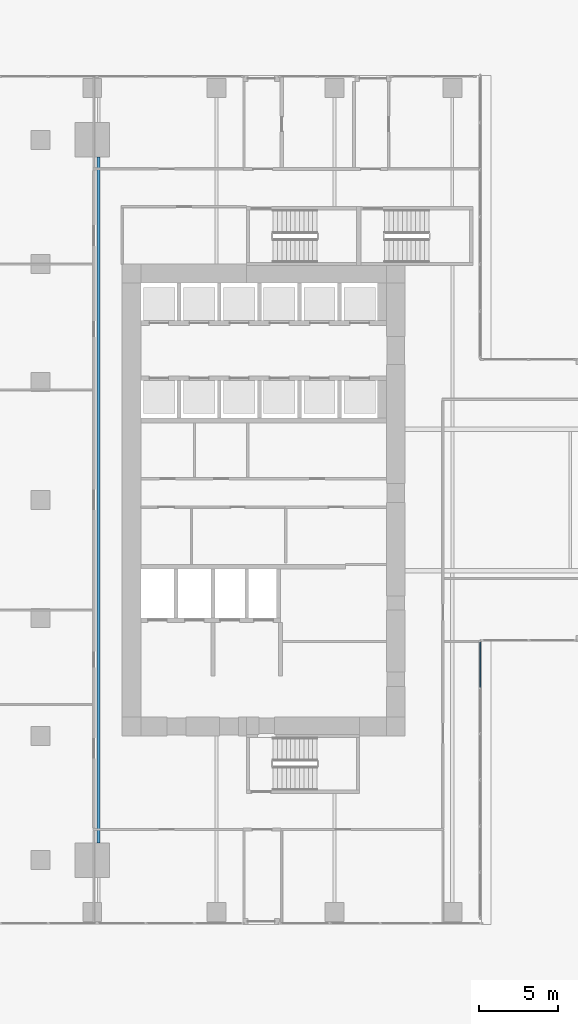
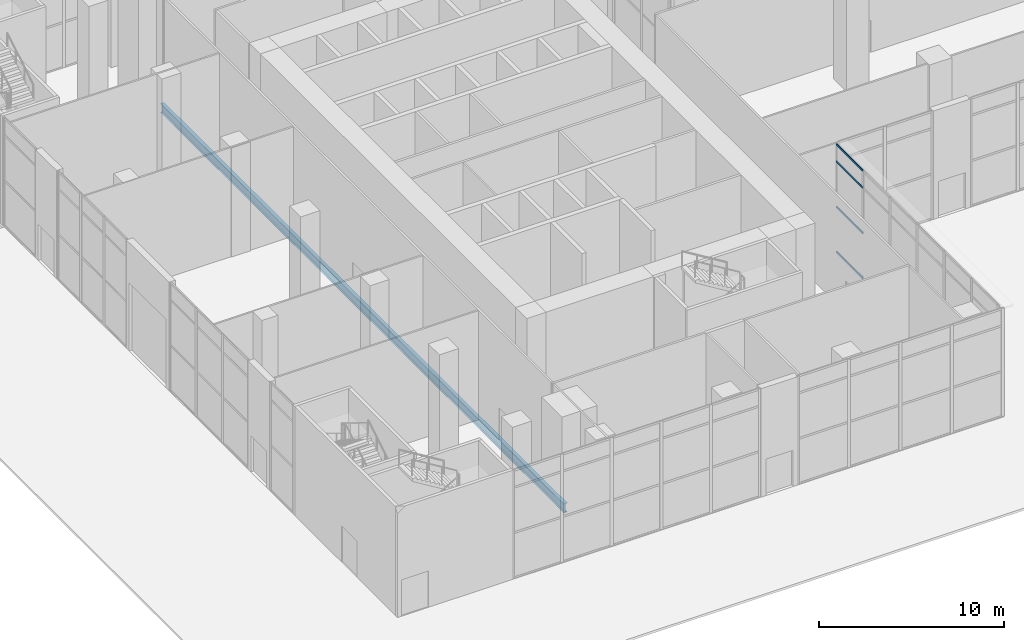
# One storey, part 10 of 52: 4 members, 1 beam, 1 element without a shape of its own.
"""IFC4 building model written with IfcOpenShell, lengths in metres."""

import ifcopenshell
import ifcopenshell.guid

model = None  # the IFC model being written
_history = None  # IfcOwnerHistory: only IFC2X3 demands one
_inside = {}  # id of a spatial element -> (the spatial element, [elements in it])
_under = {}  # id of a project, library or spatial element -> (it, [spatial elements below it])
_declared = {}  # id of a project -> (the project, [libraries it declares])
_typed = {}  # id of a type object -> (the type object, [elements of that type])
_made_of = {}  # id of a material, layer set ... -> (it, [elements and type objects made of it])


def new_model(schema):
    """Start an empty IFC model of exactly this schema.

    Asked for "IFC4X3", IfcOpenShell would pick the latest addendum, in which some entities
    have other attributes; the version numbers below select the first issue.
    IFC2X3 requires an IfcOwnerHistory on every rooted entity: one is made here for all.
    """
    global model, _history
    if schema == "IFC4X3":
        model = ifcopenshell.file(schema_version=(4, 3, 0, 0))
    else:
        model = ifcopenshell.file(schema=schema)
    _inside.clear()
    _under.clear()
    _declared.clear()
    _typed.clear()
    _made_of.clear()
    _history = None
    if model.schema == "IFC2X3":
        org = make("IfcOrganization", Name="unknown")
        user = make(
            "IfcPersonAndOrganization",
            ThePerson=make("IfcPerson", FamilyName="unknown"),
            TheOrganization=org,
        )
        app = make(
            "IfcApplication",
            ApplicationDeveloper=org,
            Version="unknown",
            ApplicationFullName="unknown",
            ApplicationIdentifier="unknown",
        )
        _history = make(
            "IfcOwnerHistory",
            OwningUser=user,
            OwningApplication=app,
            ChangeAction="ADDED",
            CreationDate=0,
        )
    return model


def make(cls, **values):
    """One entity of the class cls with the attributes given. An attribute that is None is left unset."""
    return model.create_entity(
        cls, **{name: value for name, value in values.items() if value is not None}
    )


def rooted(cls, **values):
    """An entity with a GlobalId (a new one), such as an element, a storey or a relation."""
    return make(cls, GlobalId=ifcopenshell.guid.new(), OwnerHistory=_history, **values)


def si_unit(unit_type, name, prefix=None):
    """IfcSIUnit, for example si_unit("LENGTHUNIT", "METRE", prefix="MILLI")."""
    return make("IfcSIUnit", UnitType=unit_type, Prefix=prefix, Name=name)


def assignment(units):
    """IfcUnitAssignment: the units of a project."""
    return None if units is None else make("IfcUnitAssignment", Units=units)


def point(xyz):
    """IfcCartesianPoint."""
    return None if xyz is None else make("IfcCartesianPoint", Coordinates=xyz)


def direction(xyz):
    """IfcDirection."""
    return None if xyz is None else make("IfcDirection", DirectionRatios=xyz)


def frame(location, z_axis=None, x_axis=None):
    """IfcAxis2Placement3D, a coordinate frame: its origin and axes. An axis left out is left unset."""
    return make(
        "IfcAxis2Placement3D",
        Location=point(location),
        Axis=direction(z_axis),
        RefDirection=direction(x_axis),
    )


def frame_2d(location, x_axis=None):
    """IfcAxis2Placement2D, a coordinate frame in the plane: its origin and x axis."""
    return make(
        "IfcAxis2Placement2D", Location=point(location), RefDirection=direction(x_axis)
    )


def origin():
    """The frame at (0, 0, 0) with its axes left unset."""
    return frame((0.0, 0.0, 0.0))


def origin_2d():
    """The frame at (0, 0) in the plane with its x axis left unset."""
    return frame_2d((0.0, 0.0))


def place(relative_to, where):
    """IfcLocalPlacement: puts the frame where relative to a parent placement (None: the world)."""
    return make(
        "IfcLocalPlacement", PlacementRelTo=relative_to, RelativePlacement=where
    )


def context(
    kind, dimensions, precision=None, world=None, true_north=None, identifier=None
):
    """IfcGeometricRepresentationContext, for example the 3D "Model" context."""
    return make(
        "IfcGeometricRepresentationContext",
        ContextIdentifier=identifier,
        ContextType=kind,
        CoordinateSpaceDimension=dimensions,
        Precision=precision,
        WorldCoordinateSystem=world,
        TrueNorth=true_north,
    )


def subcontext(parent, identifier, kind, view, scale=None):
    """IfcGeometricRepresentationSubContext, for example "Body" below "Model"."""
    return make(
        "IfcGeometricRepresentationSubContext",
        ContextIdentifier=identifier,
        ContextType=kind,
        ParentContext=parent,
        TargetScale=scale,
        TargetView=view,
    )


def project(units=None, contexts=None):
    """IfcProject with its units and contexts."""
    return rooted(
        "IfcProject",
        Name="project",
        RepresentationContexts=contexts,
        UnitsInContext=assignment(units),
    )


def spatial(cls, under=None, at=None, **own):
    """A site, building, storey or space (cls), placed at a placement, below another one or the project."""
    s = rooted(cls, ObjectPlacement=at, **own)
    if under is not None:
        _under.setdefault(under.id(), (under, []))[1].append(s)
    return s


def profile(cls, at=None, kind="AREA", **sizes):
    """A parametric profile (cls). Its sizes go by their IFC names, for example OverallWidth=200.0."""
    return make(cls, ProfileType=kind, Position=at, **sizes)


def hollow_rectangle(**sizes):
    """IfcRectangleHollowProfileDef."""
    return profile("IfcRectangleHollowProfileDef", **sizes)


def i_section(**sizes):
    """IfcIShapeProfileDef."""
    return profile("IfcIShapeProfileDef", **sizes)


def extrude(swept, where, along, depth):
    """IfcExtrudedAreaSolid: the profile swept, set in the frame where, extruded along a direction by depth."""
    return make(
        "IfcExtrudedAreaSolid",
        SweptArea=swept,
        Position=where,
        ExtrudedDirection=direction(along),
        Depth=depth,
    )


def shape(context_of_items, identifier, shape_type, items):
    """IfcShapeRepresentation: the items that make up one representation, for example the "Body"."""
    return make(
        "IfcShapeRepresentation",
        ContextOfItems=context_of_items,
        RepresentationIdentifier=identifier,
        RepresentationType=shape_type,
        Items=items,
    )


def source(mapping_origin, context_of_items, identifier, shape_type, items):
    """IfcRepresentationMap: a shape defined once, which mapped items show again and again."""
    return make(
        "IfcRepresentationMap",
        MappingOrigin=mapping_origin,
        MappedRepresentation=shape(context_of_items, identifier, shape_type, items),
    )


def transform(
    local_origin,
    x_axis=None,
    y_axis=None,
    z_axis=None,
    scale=None,
    scale2=None,
    scale3=None,
    uniform=True,
):
    """IfcCartesianTransformationOperator3D, or its non-uniform kind. x_axis, y_axis, z_axis: its Axis1, 2, 3."""
    if uniform:
        return make(
            "IfcCartesianTransformationOperator3D",
            Axis1=direction(x_axis),
            Axis2=direction(y_axis),
            LocalOrigin=point(local_origin),
            Scale=scale,
            Axis3=direction(z_axis),
        )
    return make(
        "IfcCartesianTransformationOperator3DnonUniform",
        Axis1=direction(x_axis),
        Axis2=direction(y_axis),
        LocalOrigin=point(local_origin),
        Scale=scale,
        Axis3=direction(z_axis),
        Scale2=scale2,
        Scale3=scale3,
    )


def mapped(mapping_source, mapping_target):
    """IfcMappedItem: shows the shape of a source again, moved by a transform."""
    return make(
        "IfcMappedItem", MappingSource=mapping_source, MappingTarget=mapping_target
    )


def material(Name=None, Category=None):
    """IfcMaterial."""
    return make("IfcMaterial", Name=Name, Category=Category)


def material_profile(
    of_material, cross_section, Name=None, Category=None, Priority=None
):
    """IfcMaterialProfile: a cross section and its material."""
    return make(
        "IfcMaterialProfile",
        Name=Name,
        Material=of_material,
        Profile=cross_section,
        Priority=Priority,
        Category=Category,
    )


def profile_set(profiles, Name=None, composite=None):
    """IfcMaterialProfileSet."""
    return make(
        "IfcMaterialProfileSet",
        Name=Name,
        MaterialProfiles=profiles,
        CompositeProfile=composite,
    )


def made_of(thing, what):
    """Note that an element or type object is made of a material, layer set ...; save() writes the relation."""
    if what is not None:
        _made_of.setdefault(what.id(), (what, []))[1].append(thing)
    return thing


def type_object(cls, material=None, **own):
    """A type object (cls), such as IfcWallType, which elements share."""
    return made_of(rooted(cls, **own), material)


def element(
    cls,
    number,
    at=None,
    inside=None,
    cuts=None,
    type_object=None,
    material=None,
    context=None,
    identifier="Body",
    shape_type=None,
    held_by="IfcProductDefinitionShape",
    body=None,
    shapes=None,
    **own,
):
    """One element of the class cls, such as IfcWall. Its Tag is "e" and its number.

    at: its placement. inside: the storey or other place that contains it. cuts: it is an
    opening in that element (IfcRelVoidsElement). A single representation is given by context,
    identifier, shape_type and body (its items); several are given by shapes. held_by: the class
    of the entity that holds the representations. save() writes the other relations.
    """
    e = rooted(cls, Tag="e%d" % number, ObjectPlacement=at, **own)
    if body is not None:
        shapes = [shape(context, identifier, shape_type, body)]
    if shapes is not None:
        e.Representation = make(held_by, Representations=shapes)
    if inside is not None:
        _inside.setdefault(inside.id(), (inside, []))[1].append(e)
    if cuts is not None:
        rooted(
            "IfcRelVoidsElement", RelatingBuildingElement=cuts, RelatedOpeningElement=e
        )
    if type_object is not None:
        _typed.setdefault(type_object.id(), (type_object, []))[1].append(e)
    return made_of(e, material)


def aggregate(whole, parts):
    """IfcRelAggregates: a whole, such as a stair, and the parts it consists of."""
    return rooted("IfcRelAggregates", RelatingObject=whole, RelatedObjects=parts)


def save(model, path):
    """Write the relations noted so far, then the file.

    IfcRelAggregates (storeys below a building ...), IfcRelContainedInSpatialStructure (elements
    in a storey), IfcRelDefinesByType, IfcRelAssociatesMaterial and IfcRelDeclares: one each for
    every whole, place, type object, material and project.
    """
    for whole, parts in _under.values():
        aggregate(whole, parts)
    for where, things in _inside.values():
        rooted(
            "IfcRelContainedInSpatialStructure",
            RelatedElements=things,
            RelatingStructure=where,
        )
    for kind, things in _typed.values():
        rooted("IfcRelDefinesByType", RelatedObjects=things, RelatingType=kind)
    for what, things in _made_of.values():
        rooted("IfcRelAssociatesMaterial", RelatedObjects=things, RelatingMaterial=what)
    for by, libraries in _declared.values():
        rooted("IfcRelDeclares", RelatingContext=by, RelatedDefinitions=libraries)
    model.write(path)


model = new_model("IFC4")

# Units and contexts
model_context = context("Model", 3, precision=1e-05, world=origin(), true_north=direction((0.0, 1.0)))
body_context = subcontext(model_context, "Body", "Model", "MODEL_VIEW")
ifc_project = project(units=[si_unit("LENGTHUNIT", "METRE"), si_unit("AREAUNIT", "SQUARE_METRE"), si_unit("VOLUMEUNIT", "CUBIC_METRE"), si_unit("PLANEANGLEUNIT", "RADIAN"), si_unit("MASSUNIT", "GRAM", prefix="KILO")], contexts=[model_context])

# Site, building, storey
site_placement = place(None, origin())
site = spatial("IfcSite", under=ifc_project, at=site_placement, CompositionType="ELEMENT")
building_placement = place(site_placement, origin())
building = spatial("IfcBuilding", under=site, at=building_placement, Name="Khomas Fold Tower", CompositionType="ELEMENT")
storey_placement = place(building_placement, origin())
storey = spatial("IfcBuildingStorey", under=building, at=storey_placement, Name="L00", CompositionType="ELEMENT", Elevation=0.0)

# Beam
ifc_material_1 = material(Name="Steel S355", Category="steel")
ifc_material_profile_1 = material_profile(ifc_material_1, i_section(OverallWidth=0.219970703125, OverallDepth=0.60009765625, WebThickness=0.011962890625, FlangeThickness=0.01904296875, at=origin_2d()), Name="IPE 600")
ifc_profile_set_1 = profile_set([ifc_material_profile_1], Name="Steel S355")
beam_type = type_object("IfcBeamType", Name="IPE 600 beam JB7", PredefinedType="BEAM", material=ifc_profile_set_1)
shared_shape_1 = source(origin(), body_context, "Body", "SweptSolid", [
    extrude(i_section(OverallWidth=0.219970703125, OverallDepth=0.60009765625, WebThickness=0.011962890625, FlangeThickness=0.01904296875, at=origin_2d()), origin(), (0.0, 0.0, 1.0), 43.60009765625),
])
beam_placement = place(storey_placement, frame((4.5, 5.199951171875, -0.64990234375), z_axis=(0.0, 1.0, 0.0), x_axis=(-1.0, 0.0, 0.0)))
element("IfcBeam", 1, at=beam_placement, inside=storey, type_object=beam_type, Name="JB7", PredefinedType="BEAM", context=body_context, shape_type="MappedRepresentation", body=[
    mapped(shared_shape_1, transform((0.0, 0.0, 0.0))),
])

# Curtain wall, members
ifc_material_2 = material(Name="Aluminium framed double glazing", Category="aluminium")
curtain_wall_type = type_object("IfcCurtainWallType", Name="Shopfront glazing PD-CW", PredefinedType="NOTDEFINED", material=ifc_material_2)
curtain_wall_placement = place(storey_placement, origin())
curtain_wall = element("IfcCurtainWall", 2, at=curtain_wall_placement, inside=storey, type_object=curtain_wall_type, Name="Podium shopfront run", PredefinedType="NOTDEFINED")
ifc_material_3 = material(Name="Aluminium", Category="aluminium")
ifc_material_profile_2 = material_profile(ifc_material_3, hollow_rectangle(XDim=0.06005859375, YDim=0.1201171875, WallThickness=0.00390625, at=origin_2d()), Name="Shopfront glazing transom PD-CW-T")
ifc_profile_set_2 = profile_set([ifc_material_profile_2], Name="Aluminium")
member_type = type_object("IfcMemberType", Name="Shopfront glazing transom PD-CW-T", PredefinedType="USERDEFINED", material=ifc_profile_set_2)
shared_shape_2 = source(origin(), body_context, "Body", "SweptSolid", [
    extrude(hollow_rectangle(XDim=0.06005859375, YDim=0.1201171875, WallThickness=0.00390625, at=origin_2d()), origin(), (0.0, 0.0, 1.0), 2.84326171875),
])
member_1_placement = place(storey_placement, frame((28.77001953125, 15.0966796875, 0.030029296875), z_axis=(0.0, 1.0, 0.0), x_axis=(-1.0, 0.0, 0.0)))
member_1 = element("IfcMember", 3, at=member_1_placement, type_object=member_type, Name="PD-CW transom 6.1", ObjectType="TRANSOM", PredefinedType="USERDEFINED", context=body_context, shape_type="MappedRepresentation", body=[
    mapped(shared_shape_2, transform((0.0, 0.0, 0.0))),
])
member_2_placement = place(storey_placement, frame((28.77001953125, 15.0966796875, 3.0), z_axis=(0.0, 1.0, 0.0), x_axis=(-1.0, 0.0, 0.0)))
member_2 = element("IfcMember", 4, at=member_2_placement, type_object=member_type, Name="PD-CW transom 6.2", ObjectType="TRANSOM", PredefinedType="USERDEFINED", context=body_context, shape_type="MappedRepresentation", body=[
    mapped(shared_shape_2, transform((0.0, 0.0, 0.0))),
])
member_3_placement = place(storey_placement, frame((28.77001953125, 15.0966796875, 6.0), z_axis=(0.0, 1.0, 0.0), x_axis=(-1.0, 0.0, 0.0)))
member_3 = element("IfcMember", 5, at=member_3_placement, type_object=member_type, Name="PD-CW transom 6.3", ObjectType="TRANSOM", PredefinedType="USERDEFINED", context=body_context, shape_type="MappedRepresentation", body=[
    mapped(shared_shape_2, transform((0.0, 0.0, 0.0))),
])
member_4_placement = place(storey_placement, frame((28.77001953125, 15.0966796875, 7.1201171875), z_axis=(0.0, 1.0, 0.0), x_axis=(-1.0, 0.0, 0.0)))
member_4 = element("IfcMember", 6, at=member_4_placement, type_object=member_type, Name="PD-CW transom 6.4", ObjectType="TRANSOM", PredefinedType="USERDEFINED", context=body_context, shape_type="MappedRepresentation", body=[
    mapped(shared_shape_2, transform((0.0, 0.0, 0.0))),
])
aggregate(curtain_wall, [member_1, member_2, member_3, member_4])

save(model, "model.ifc")
